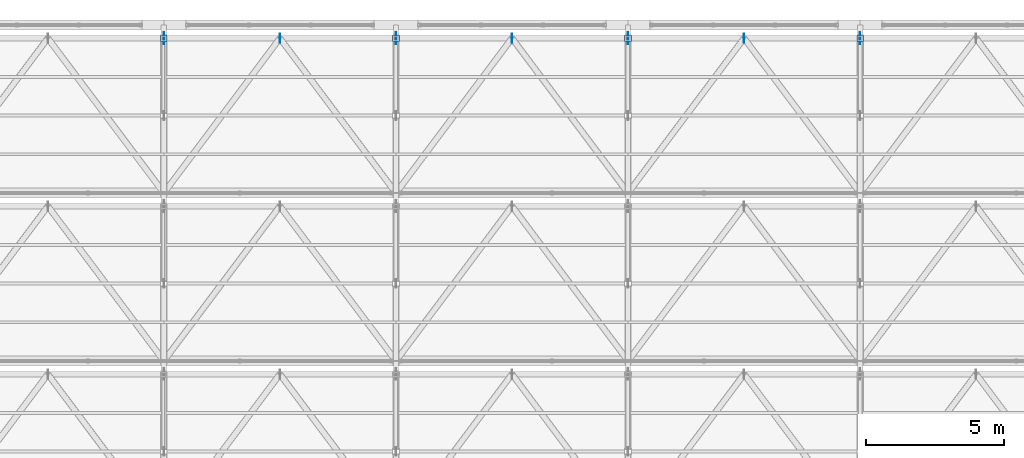
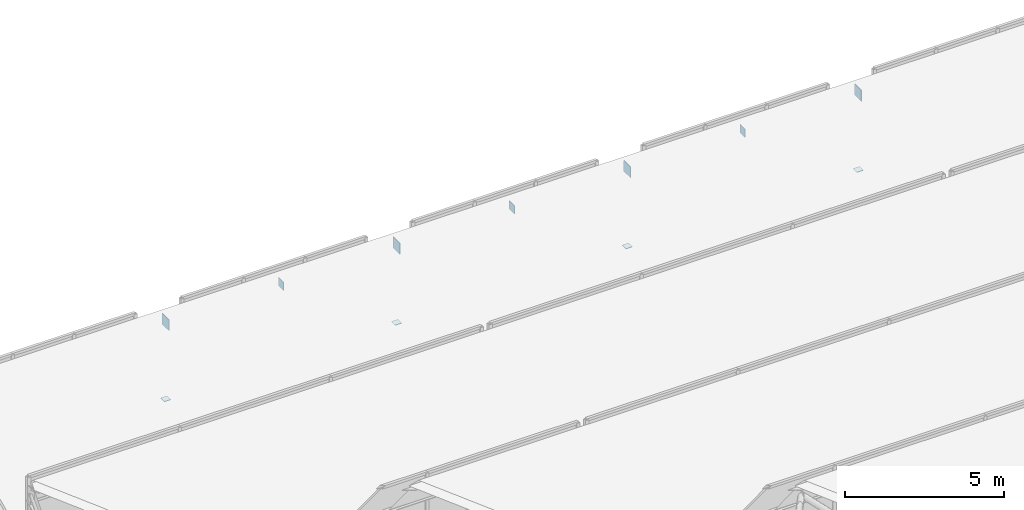
# One storey, part 186 of 217: 11 plates.
"""IFC4 building model written with IfcOpenShell, lengths in metres."""

import ifcopenshell
import ifcopenshell.guid

model = None  # the IFC model being written
_history = None  # IfcOwnerHistory: only IFC2X3 demands one
_inside = {}  # id of a spatial element -> (the spatial element, [elements in it])
_under = {}  # id of a project, library or spatial element -> (it, [spatial elements below it])
_declared = {}  # id of a project -> (the project, [libraries it declares])
_typed = {}  # id of a type object -> (the type object, [elements of that type])
_made_of = {}  # id of a material, layer set ... -> (it, [elements and type objects made of it])


def new_model(schema):
    """Start an empty IFC model of exactly this schema.

    Asked for "IFC4X3", IfcOpenShell would pick the latest addendum, in which some entities
    have other attributes; the version numbers below select the first issue.
    IFC2X3 requires an IfcOwnerHistory on every rooted entity: one is made here for all.
    """
    global model, _history
    if schema == "IFC4X3":
        model = ifcopenshell.file(schema_version=(4, 3, 0, 0))
    else:
        model = ifcopenshell.file(schema=schema)
    _inside.clear()
    _under.clear()
    _declared.clear()
    _typed.clear()
    _made_of.clear()
    _history = None
    if model.schema == "IFC2X3":
        org = make("IfcOrganization", Name="unknown")
        user = make(
            "IfcPersonAndOrganization",
            ThePerson=make("IfcPerson", FamilyName="unknown"),
            TheOrganization=org,
        )
        app = make(
            "IfcApplication",
            ApplicationDeveloper=org,
            Version="unknown",
            ApplicationFullName="unknown",
            ApplicationIdentifier="unknown",
        )
        _history = make(
            "IfcOwnerHistory",
            OwningUser=user,
            OwningApplication=app,
            ChangeAction="ADDED",
            CreationDate=0,
        )
    return model


def make(cls, **values):
    """One entity of the class cls with the attributes given. An attribute that is None is left unset."""
    return model.create_entity(
        cls, **{name: value for name, value in values.items() if value is not None}
    )


def rooted(cls, **values):
    """An entity with a GlobalId (a new one), such as an element, a storey or a relation."""
    return make(cls, GlobalId=ifcopenshell.guid.new(), OwnerHistory=_history, **values)


def si_unit(unit_type, name, prefix=None):
    """IfcSIUnit, for example si_unit("LENGTHUNIT", "METRE", prefix="MILLI")."""
    return make("IfcSIUnit", UnitType=unit_type, Prefix=prefix, Name=name)


def assignment(units):
    """IfcUnitAssignment: the units of a project."""
    return None if units is None else make("IfcUnitAssignment", Units=units)


def point(xyz):
    """IfcCartesianPoint."""
    return None if xyz is None else make("IfcCartesianPoint", Coordinates=xyz)


def direction(xyz):
    """IfcDirection."""
    return None if xyz is None else make("IfcDirection", DirectionRatios=xyz)


def frame(location, z_axis=None, x_axis=None):
    """IfcAxis2Placement3D, a coordinate frame: its origin and axes. An axis left out is left unset."""
    return make(
        "IfcAxis2Placement3D",
        Location=point(location),
        Axis=direction(z_axis),
        RefDirection=direction(x_axis),
    )


def frame_2d(location, x_axis=None):
    """IfcAxis2Placement2D, a coordinate frame in the plane: its origin and x axis."""
    return make(
        "IfcAxis2Placement2D", Location=point(location), RefDirection=direction(x_axis)
    )


def origin():
    """The frame at (0, 0, 0) with its axes left unset."""
    return frame((0.0, 0.0, 0.0))


def origin_2d():
    """The frame at (0, 0) in the plane with its x axis left unset."""
    return frame_2d((0.0, 0.0))


def place(relative_to, where):
    """IfcLocalPlacement: puts the frame where relative to a parent placement (None: the world)."""
    return make(
        "IfcLocalPlacement", PlacementRelTo=relative_to, RelativePlacement=where
    )


def context(
    kind, dimensions, precision=None, world=None, true_north=None, identifier=None
):
    """IfcGeometricRepresentationContext, for example the 3D "Model" context."""
    return make(
        "IfcGeometricRepresentationContext",
        ContextIdentifier=identifier,
        ContextType=kind,
        CoordinateSpaceDimension=dimensions,
        Precision=precision,
        WorldCoordinateSystem=world,
        TrueNorth=true_north,
    )


def subcontext(parent, identifier, kind, view, scale=None):
    """IfcGeometricRepresentationSubContext, for example "Body" below "Model"."""
    return make(
        "IfcGeometricRepresentationSubContext",
        ContextIdentifier=identifier,
        ContextType=kind,
        ParentContext=parent,
        TargetScale=scale,
        TargetView=view,
    )


def project(units=None, contexts=None):
    """IfcProject with its units and contexts."""
    return rooted(
        "IfcProject",
        Name="project",
        RepresentationContexts=contexts,
        UnitsInContext=assignment(units),
    )


def spatial(cls, under=None, at=None, **own):
    """A site, building, storey or space (cls), placed at a placement, below another one or the project."""
    s = rooted(cls, ObjectPlacement=at, **own)
    if under is not None:
        _under.setdefault(under.id(), (under, []))[1].append(s)
    return s


def profile(cls, at=None, kind="AREA", **sizes):
    """A parametric profile (cls). Its sizes go by their IFC names, for example OverallWidth=200.0."""
    return make(cls, ProfileType=kind, Position=at, **sizes)


def rectangle(**sizes):
    """IfcRectangleProfileDef."""
    return profile("IfcRectangleProfileDef", **sizes)


def extrude(swept, where, along, depth):
    """IfcExtrudedAreaSolid: the profile swept, set in the frame where, extruded along a direction by depth."""
    return make(
        "IfcExtrudedAreaSolid",
        SweptArea=swept,
        Position=where,
        ExtrudedDirection=direction(along),
        Depth=depth,
    )


def shape(context_of_items, identifier, shape_type, items):
    """IfcShapeRepresentation: the items that make up one representation, for example the "Body"."""
    return make(
        "IfcShapeRepresentation",
        ContextOfItems=context_of_items,
        RepresentationIdentifier=identifier,
        RepresentationType=shape_type,
        Items=items,
    )


def material(Name=None, Category=None):
    """IfcMaterial."""
    return make("IfcMaterial", Name=Name, Category=Category)


def layer(
    of_material, thickness, ventilated=None, Name=None, Category=None, Priority=None
):
    """IfcMaterialLayer: one layer of a wall or slab, of a material (None: an air gap)."""
    return make(
        "IfcMaterialLayer",
        Material=of_material,
        LayerThickness=thickness,
        IsVentilated=ventilated,
        Name=Name,
        Category=Category,
        Priority=Priority,
    )


def layer_set(layers, Name=None):
    """IfcMaterialLayerSet."""
    return make("IfcMaterialLayerSet", MaterialLayers=layers, LayerSetName=Name)


def made_of(thing, what):
    """Note that an element or type object is made of a material, layer set ...; save() writes the relation."""
    if what is not None:
        _made_of.setdefault(what.id(), (what, []))[1].append(thing)
    return thing


def type_object(cls, material=None, **own):
    """A type object (cls), such as IfcWallType, which elements share."""
    return made_of(rooted(cls, **own), material)


def element(
    cls,
    number,
    at=None,
    inside=None,
    cuts=None,
    type_object=None,
    material=None,
    context=None,
    identifier="Body",
    shape_type=None,
    held_by="IfcProductDefinitionShape",
    body=None,
    shapes=None,
    **own,
):
    """One element of the class cls, such as IfcWall. Its Tag is "e" and its number.

    at: its placement. inside: the storey or other place that contains it. cuts: it is an
    opening in that element (IfcRelVoidsElement). A single representation is given by context,
    identifier, shape_type and body (its items); several are given by shapes. held_by: the class
    of the entity that holds the representations. save() writes the other relations.
    """
    e = rooted(cls, Tag="e%d" % number, ObjectPlacement=at, **own)
    if body is not None:
        shapes = [shape(context, identifier, shape_type, body)]
    if shapes is not None:
        e.Representation = make(held_by, Representations=shapes)
    if inside is not None:
        _inside.setdefault(inside.id(), (inside, []))[1].append(e)
    if cuts is not None:
        rooted(
            "IfcRelVoidsElement", RelatingBuildingElement=cuts, RelatedOpeningElement=e
        )
    if type_object is not None:
        _typed.setdefault(type_object.id(), (type_object, []))[1].append(e)
    return made_of(e, material)


def aggregate(whole, parts):
    """IfcRelAggregates: a whole, such as a stair, and the parts it consists of."""
    return rooted("IfcRelAggregates", RelatingObject=whole, RelatedObjects=parts)


def save(model, path):
    """Write the relations noted so far, then the file.

    IfcRelAggregates (storeys below a building ...), IfcRelContainedInSpatialStructure (elements
    in a storey), IfcRelDefinesByType, IfcRelAssociatesMaterial and IfcRelDeclares: one each for
    every whole, place, type object, material and project.
    """
    for whole, parts in _under.values():
        aggregate(whole, parts)
    for where, things in _inside.values():
        rooted(
            "IfcRelContainedInSpatialStructure",
            RelatedElements=things,
            RelatingStructure=where,
        )
    for kind, things in _typed.values():
        rooted("IfcRelDefinesByType", RelatedObjects=things, RelatingType=kind)
    for what, things in _made_of.values():
        rooted("IfcRelAssociatesMaterial", RelatedObjects=things, RelatingMaterial=what)
    for by, libraries in _declared.values():
        rooted("IfcRelDeclares", RelatingContext=by, RelatedDefinitions=libraries)
    model.write(path)


model = new_model("IFC4")

# Units and contexts
model_context = context("Model", 3, precision=1e-05, world=origin(), true_north=direction((0.0, 1.0)))
body_context = subcontext(model_context, "Body", "Model", "MODEL_VIEW")
ifc_project = project(units=[si_unit("LENGTHUNIT", "METRE"), si_unit("AREAUNIT", "SQUARE_METRE"), si_unit("VOLUMEUNIT", "CUBIC_METRE"), si_unit("PLANEANGLEUNIT", "RADIAN"), si_unit("MASSUNIT", "GRAM", prefix="KILO")], contexts=[model_context])

# Site, building, storey
site_placement = place(None, origin())
site = spatial("IfcSite", under=ifc_project, at=site_placement, CompositionType="ELEMENT")
building_placement = place(site_placement, origin())
building = spatial("IfcBuilding", under=site, at=building_placement, Name="Zuvorla Pavilion Media Centre", CompositionType="ELEMENT")
storey_placement = place(building_placement, frame((0.0, 0.0, 9.60009765625)))
storey = spatial("IfcBuildingStorey", under=building, at=storey_placement, Name="L02", CompositionType="ELEMENT", Elevation=9.60009765625)

# Plates
ifc_material = material(Name="Steel S355", Category="steel")
ifc_layer_1 = layer(ifc_material, 0.01611328125)
ifc_layer_set_1 = layer_set([ifc_layer_1], Name="Steel S355")
plate_type_1 = type_object("IfcPlateType", Name="PLT-CAP-16", PredefinedType="USERDEFINED", material=ifc_layer_set_1)
for number, where, z_axis, x_axis, name in (
    (1, (75.199951171875, 119.52001953125, -0.88818359375), (0.0, 0.0, 1.0), (1.0, 0.0, 0.0), "L02 cap plate CP16 360"),
    (2, (83.60009765625, 119.52001953125, -0.88818359375), (0.0, 0.0, 1.0), (1.0, 0.0, 0.0), "L02 cap plate CP16 363"),
    (3, (92.0, 119.52001953125, -0.88818359375), (0.0, 0.0, 1.0), (1.0, 0.0, 0.0), "L02 cap plate CP16 366"),
    (4, (100.39990234375, 119.52001953125, -0.88818359375), (0.0, 0.0, 1.0), (1.0, 0.0, 0.0), "L02 cap plate CP16 369"),
):
    element("IfcPlate", number, at=place(storey_placement, frame(where, z_axis=z_axis, x_axis=x_axis)), inside=storey, type_object=plate_type_1, Name=name, ObjectType="CAP_PLATE", PredefinedType="USERDEFINED", context=body_context, shape_type="SweptSolid", body=[
        extrude(rectangle(XDim=0.239990234375, YDim=0.239990234375, at=origin_2d()), origin(), (0.0, 0.0, 1.0), 0.01611328125),
    ])
ifc_layer_2 = layer(ifc_material, 0.02001953125)
ifc_layer_set_2 = layer_set([ifc_layer_2], Name="Steel S355")
plate_type_2 = type_object("IfcPlateType", Name="PLT-GUS-20", PredefinedType="USERDEFINED", material=ifc_layer_set_2)
for number, where, z_axis, x_axis, name in (
    (5, (79.39990234375, 119.52001953125, 1.919921875), (0.0, 0.0, 1.0), (1.0, 0.0, 0.0), "L02 gusset plate GP20 385"),
    (6, (87.800048828125, 119.52001953125, 1.919921875), (0.0, 0.0, 1.0), (1.0, 0.0, 0.0), "L02 gusset plate GP20 386"),
    (7, (96.199951171875, 119.52001953125, 1.919921875), (0.0, 0.0, 1.0), (1.0, 0.0, 0.0), "L02 gusset plate GP20 387"),
):
    element("IfcPlate", number, at=place(storey_placement, frame(where, z_axis=z_axis, x_axis=x_axis)), inside=storey, type_object=plate_type_2, Name=name, ObjectType="GUSSET_PLATE", PredefinedType="USERDEFINED", context=body_context, shape_type="SweptSolid", body=[
        extrude(rectangle(XDim=0.02001953125, YDim=0.320068359375, at=origin_2d()), origin(), (0.0, 0.0, 1.0), 0.320068359375),
    ])
ifc_layer_3 = layer(ifc_material, 0.02490234375)
ifc_layer_set_3 = layer_set([ifc_layer_3], Name="Steel S355")
plate_type_3 = type_object("IfcPlateType", Name="PLT-GUS-25", PredefinedType="USERDEFINED", material=ifc_layer_set_3)
for number, where, z_axis, x_axis, name in (
    (8, (75.199951171875, 119.52001953125, 1.87353515625), (0.0, 0.0, 1.0), (1.0, 0.0, 0.0), "L02 gusset plate GP25 75"),
    (9, (83.60009765625, 119.52001953125, 1.87353515625), (0.0, 0.0, 1.0), (1.0, 0.0, 0.0), "L02 gusset plate GP25 77"),
    (10, (92.0, 119.52001953125, 1.87353515625), (0.0, 0.0, 1.0), (1.0, 0.0, 0.0), "L02 gusset plate GP25 79"),
    (11, (100.39990234375, 119.52001953125, 1.87353515625), (0.0, 0.0, 1.0), (1.0, 0.0, 0.0), "L02 gusset plate GP25 81"),
):
    element("IfcPlate", number, at=place(storey_placement, frame(where, z_axis=z_axis, x_axis=x_axis)), inside=storey, type_object=plate_type_3, Name=name, ObjectType="GUSSET_PLATE", PredefinedType="USERDEFINED", context=body_context, shape_type="SweptSolid", body=[
        extrude(rectangle(XDim=0.02490234375, YDim=0.419921875, at=origin_2d()), origin(), (0.0, 0.0, 1.0), 0.419921875),
    ])

save(model, "model.ifc")
